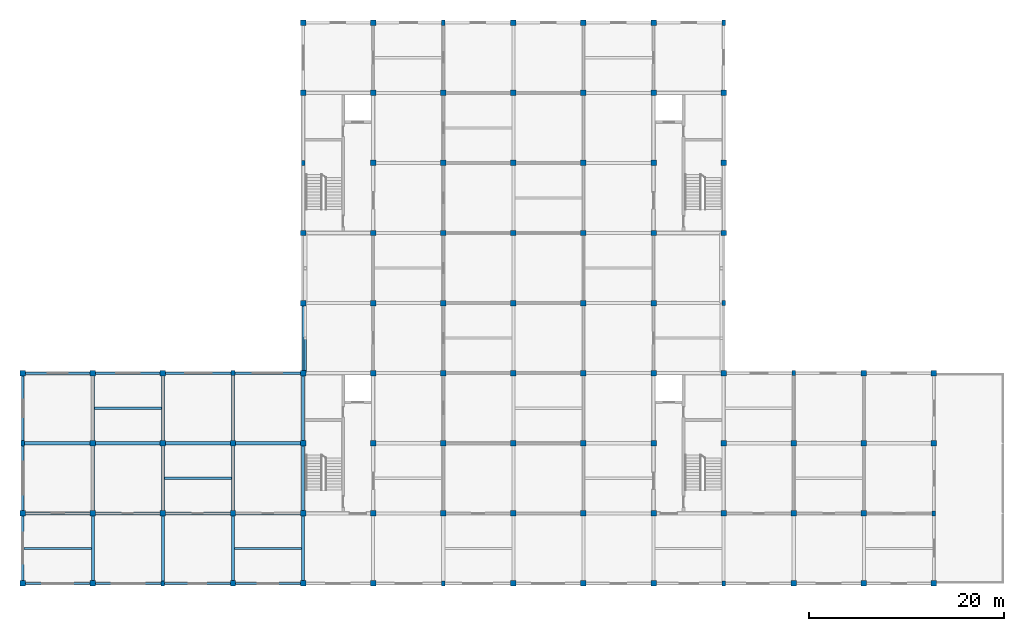
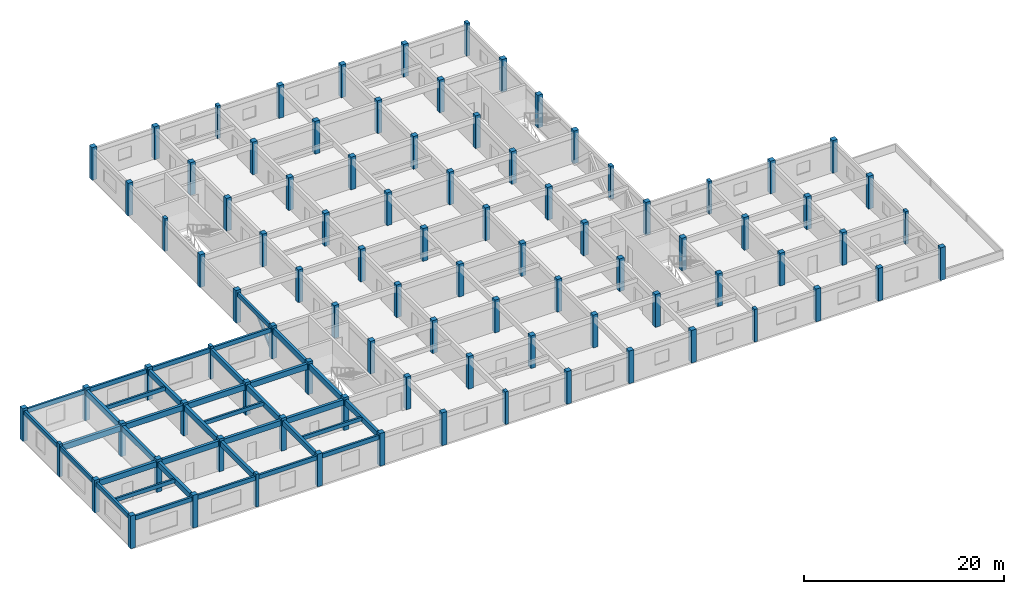
# One storey, part 1 of 10: 91 columns, 36 beams, 1 member.
"""IFC4 building model written with IfcOpenShell, lengths in metres."""

from ifc_helpers import new_model, si_unit, direction, frame, origin, origin_2d, place, context, subcontext, project, spatial, rectangle, extrude, material, material_profile, profile_set, type_object, element, save


model = new_model("IFC4")

# Units and contexts
model_context = context("Model", 3, precision=1e-05, world=origin(), true_north=direction((0.0, 1.0)))
body_context = subcontext(model_context, "Body", "Model", "MODEL_VIEW")
ifc_project = project(units=[si_unit("LENGTHUNIT", "METRE"), si_unit("AREAUNIT", "SQUARE_METRE"), si_unit("VOLUMEUNIT", "CUBIC_METRE"), si_unit("PLANEANGLEUNIT", "RADIAN"), si_unit("MASSUNIT", "GRAM", prefix="KILO")], contexts=[model_context])

# Site, building, storey
site_placement = place(None, origin())
site = spatial("IfcSite", under=ifc_project, at=site_placement, CompositionType="ELEMENT")
building_placement = place(site_placement, origin())
building = spatial("IfcBuilding", under=site, at=building_placement, Name="Cendaluz Park School", CompositionType="ELEMENT")
storey_placement = place(building_placement, frame((0.0, 0.0, 34.800048828125)))
storey = spatial("IfcBuildingStorey", under=building, at=storey_placement, Name="L08", CompositionType="ELEMENT", Elevation=34.800048828125)

# Columns
ifc_material_1 = material(Name="Glulam GL32h", Category="wood")
ifc_material_profile_1 = material_profile(ifc_material_1, rectangle(XDim=0.56005859375, YDim=0.56005859375, at=origin_2d()), Name="GL32h 560x560", Category="wood")
ifc_profile_set_1 = profile_set([ifc_material_profile_1], Name="Glulam GL32h")
column_type_1 = type_object("IfcColumnType", Name="C-GL01", PredefinedType="COLUMN", material=ifc_profile_set_1)
for number, where, z_axis, x_axis, name in (
    (1, (36.0, 7.199951171875, 0.0), (0.0, 0.0, 1.0), (1.0, 0.0, 0.0), "C-L08-CGL01-001"),
    (2, (36.0, 14.39990234375, 0.0), (0.0, 0.0, 1.0), (1.0, 0.0, 0.0), "C-L08-CGL01-002"),
    (3, (36.0, 28.800048828125, 0.0), (0.0, 0.0, 1.0), (1.0, 0.0, 0.0), "C-L08-CGL01-004"),
    (4, (43.199951171875, 7.199951171875, 0.0), (0.0, 0.0, 1.0), (1.0, 0.0, 0.0), "C-L08-CGL01-005"),
    (5, (43.199951171875, 14.39990234375, 0.0), (0.0, 0.0, 1.0), (1.0, 0.0, 0.0), "C-L08-CGL01-006"),
    (6, (43.199951171875, 21.60009765625, 0.0), (0.0, 0.0, 1.0), (1.0, 0.0, 0.0), "C-L08-CGL01-007"),
    (7, (43.199951171875, 28.800048828125, 0.0), (0.0, 0.0, 1.0), (1.0, 0.0, 0.0), "C-L08-CGL01-008"),
    (8, (50.39990234375, 14.39990234375, 0.0), (0.0, 0.0, 1.0), (1.0, 0.0, 0.0), "C-L08-CGL01-010"),
    (9, (50.39990234375, 21.60009765625, 0.0), (0.0, 0.0, 1.0), (1.0, 0.0, 0.0), "C-L08-CGL01-011"),
    (10, (50.39990234375, 28.800048828125, 0.0), (0.0, 0.0, 1.0), (1.0, 0.0, 0.0), "C-L08-CGL01-012"),
    (11, (57.60009765625, 7.199951171875, 0.0), (0.0, 0.0, 1.0), (1.0, 0.0, 0.0), "C-L08-CGL01-013"),
    (12, (57.60009765625, 14.39990234375, 0.0), (0.0, 0.0, 1.0), (1.0, 0.0, 0.0), "C-L08-CGL01-014"),
    (13, (57.60009765625, 21.60009765625, 0.0), (0.0, 0.0, 1.0), (1.0, 0.0, 0.0), "C-L08-CGL01-015"),
    (14, (64.800048828125, 7.199951171875, 0.0), (0.0, 0.0, 1.0), (1.0, 0.0, 0.0), "C-L08-CGL01-017"),
    (15, (64.800048828125, 14.39990234375, 0.0), (0.0, 0.0, 1.0), (1.0, 0.0, 0.0), "C-L08-CGL01-018"),
    (16, (64.800048828125, 21.60009765625, 0.0), (0.0, 0.0, 1.0), (1.0, 0.0, 0.0), "C-L08-CGL01-019"),
    (17, (64.800048828125, 28.800048828125, 0.0), (0.0, 0.0, 1.0), (1.0, 0.0, 0.0), "C-L08-CGL01-020"),
    (18, (64.800048828125, 36.0, 0.0), (0.0, 0.0, 1.0), (1.0, 0.0, 0.0), "C-L08-CGL01-021"),
    (19, (64.800048828125, 43.199951171875, 0.0), (0.0, 0.0, 1.0), (1.0, 0.0, 0.0), "C-L08-CGL01-022"),
    (20, (64.800048828125, 57.60009765625, 0.0), (0.0, 0.0, 1.0), (1.0, 0.0, 0.0), "C-L08-CGL01-024"),
    (21, (64.800048828125, 64.800048828125, 0.0), (0.0, 0.0, 1.0), (1.0, 0.0, 0.0), "C-L08-CGL01-025"),
    (22, (72.0, 7.199951171875, 0.0), (0.0, 0.0, 1.0), (1.0, 0.0, 0.0), "C-L08-CGL01-026"),
    (23, (72.0, 14.39990234375, 0.0), (0.0, 0.0, 1.0), (1.0, 0.0, 0.0), "C-L08-CGL01-027"),
    (24, (72.0, 21.60009765625, 0.0), (0.0, 0.0, 1.0), (1.0, 0.0, 0.0), "C-L08-CGL01-028"),
    (25, (72.0, 28.800048828125, 0.0), (0.0, 0.0, 1.0), (1.0, 0.0, 0.0), "C-L08-CGL01-029"),
    (26, (72.0, 36.0, 0.0), (0.0, 0.0, 1.0), (1.0, 0.0, 0.0), "C-L08-CGL01-030"),
    (27, (72.0, 43.199951171875, 0.0), (0.0, 0.0, 1.0), (1.0, 0.0, 0.0), "C-L08-CGL01-031"),
    (28, (72.0, 50.39990234375, 0.0), (0.0, 0.0, 1.0), (1.0, 0.0, 0.0), "C-L08-CGL01-032"),
    (29, (72.0, 57.60009765625, 0.0), (0.0, 0.0, 1.0), (1.0, 0.0, 0.0), "C-L08-CGL01-033"),
    (30, (72.0, 64.800048828125, 0.0), (0.0, 0.0, 1.0), (1.0, 0.0, 0.0), "C-L08-CGL01-034"),
    (31, (79.199951171875, 14.39990234375, 0.0), (0.0, 0.0, 1.0), (1.0, 0.0, 0.0), "C-L08-CGL01-036"),
    (32, (79.199951171875, 21.60009765625, 0.0), (0.0, 0.0, 1.0), (1.0, 0.0, 0.0), "C-L08-CGL01-037"),
    (33, (79.199951171875, 28.800048828125, 0.0), (0.0, 0.0, 1.0), (1.0, 0.0, 0.0), "C-L08-CGL01-038"),
    (34, (79.199951171875, 36.0, 0.0), (0.0, 0.0, 1.0), (1.0, 0.0, 0.0), "C-L08-CGL01-039"),
    (35, (79.199951171875, 43.199951171875, 0.0), (0.0, 0.0, 1.0), (1.0, 0.0, 0.0), "C-L08-CGL01-040"),
    (36, (79.199951171875, 50.39990234375, 0.0), (0.0, 0.0, 1.0), (1.0, 0.0, 0.0), "C-L08-CGL01-041"),
    (37, (79.199951171875, 57.60009765625, 0.0), (0.0, 0.0, 1.0), (1.0, 0.0, 0.0), "C-L08-CGL01-042"),
    (38, (86.39990234375, 7.199951171875, 0.0), (0.0, 0.0, 1.0), (1.0, 0.0, 0.0), "C-L08-CGL01-044"),
    (39, (86.39990234375, 14.39990234375, 0.0), (0.0, 0.0, 1.0), (1.0, 0.0, 0.0), "C-L08-CGL01-045"),
    (40, (86.39990234375, 21.60009765625, 0.0), (0.0, 0.0, 1.0), (1.0, 0.0, 0.0), "C-L08-CGL01-046"),
    (41, (86.39990234375, 28.800048828125, 0.0), (0.0, 0.0, 1.0), (1.0, 0.0, 0.0), "C-L08-CGL01-047"),
    (42, (86.39990234375, 36.0, 0.0), (0.0, 0.0, 1.0), (1.0, 0.0, 0.0), "C-L08-CGL01-048"),
    (43, (86.39990234375, 43.199951171875, 0.0), (0.0, 0.0, 1.0), (1.0, 0.0, 0.0), "C-L08-CGL01-049"),
    (44, (86.39990234375, 50.39990234375, 0.0), (0.0, 0.0, 1.0), (1.0, 0.0, 0.0), "C-L08-CGL01-050"),
    (45, (86.39990234375, 57.60009765625, 0.0), (0.0, 0.0, 1.0), (1.0, 0.0, 0.0), "C-L08-CGL01-051"),
    (46, (86.39990234375, 64.800048828125, 0.0), (0.0, 0.0, 1.0), (1.0, 0.0, 0.0), "C-L08-CGL01-052"),
    (47, (93.60009765625, 7.199951171875, 0.0), (0.0, 0.0, 1.0), (1.0, 0.0, 0.0), "C-L08-CGL01-053"),
    (48, (93.60009765625, 14.39990234375, 0.0), (0.0, 0.0, 1.0), (1.0, 0.0, 0.0), "C-L08-CGL01-054"),
    (49, (93.60009765625, 21.60009765625, 0.0), (0.0, 0.0, 1.0), (1.0, 0.0, 0.0), "C-L08-CGL01-055"),
    (50, (93.60009765625, 28.800048828125, 0.0), (0.0, 0.0, 1.0), (1.0, 0.0, 0.0), "C-L08-CGL01-056"),
    (51, (93.60009765625, 36.0, 0.0), (0.0, 0.0, 1.0), (1.0, 0.0, 0.0), "C-L08-CGL01-057"),
    (52, (93.60009765625, 43.199951171875, 0.0), (0.0, 0.0, 1.0), (1.0, 0.0, 0.0), "C-L08-CGL01-058"),
    (53, (93.60009765625, 50.39990234375, 0.0), (0.0, 0.0, 1.0), (1.0, 0.0, 0.0), "C-L08-CGL01-059"),
    (54, (93.60009765625, 57.60009765625, 0.0), (0.0, 0.0, 1.0), (1.0, 0.0, 0.0), "C-L08-CGL01-060"),
    (55, (93.60009765625, 64.800048828125, 0.0), (0.0, 0.0, 1.0), (1.0, 0.0, 0.0), "C-L08-CGL01-061"),
    (56, (100.800048828125, 7.199951171875, 0.0), (0.0, 0.0, 1.0), (1.0, 0.0, 0.0), "C-L08-CGL01-062"),
    (57, (100.800048828125, 14.39990234375, 0.0), (0.0, 0.0, 1.0), (1.0, 0.0, 0.0), "C-L08-CGL01-063"),
    (58, (100.800048828125, 21.60009765625, 0.0), (0.0, 0.0, 1.0), (1.0, 0.0, 0.0), "C-L08-CGL01-064"),
    (59, (100.800048828125, 28.800048828125, 0.0), (0.0, 0.0, 1.0), (1.0, 0.0, 0.0), "C-L08-CGL01-065"),
    (60, (100.800048828125, 36.0, 0.0), (0.0, 0.0, 1.0), (1.0, 0.0, 0.0), "C-L08-CGL01-066"),
    (61, (100.800048828125, 43.199951171875, 0.0), (0.0, 0.0, 1.0), (1.0, 0.0, 0.0), "C-L08-CGL01-067"),
    (62, (100.800048828125, 50.39990234375, 0.0), (0.0, 0.0, 1.0), (1.0, 0.0, 0.0), "C-L08-CGL01-068"),
    (63, (100.800048828125, 57.60009765625, 0.0), (0.0, 0.0, 1.0), (1.0, 0.0, 0.0), "C-L08-CGL01-069"),
    (64, (100.800048828125, 64.800048828125, 0.0), (0.0, 0.0, 1.0), (1.0, 0.0, 0.0), "C-L08-CGL01-070"),
    (65, (108.0, 14.39990234375, 0.0), (0.0, 0.0, 1.0), (1.0, 0.0, 0.0), "C-L08-CGL01-072"),
    (66, (108.0, 21.60009765625, 0.0), (0.0, 0.0, 1.0), (1.0, 0.0, 0.0), "C-L08-CGL01-073"),
    (67, (108.0, 28.800048828125, 0.0), (0.0, 0.0, 1.0), (1.0, 0.0, 0.0), "C-L08-CGL01-074"),
    (68, (108.0, 43.199951171875, 0.0), (0.0, 0.0, 1.0), (1.0, 0.0, 0.0), "C-L08-CGL01-076"),
    (69, (108.0, 50.39990234375, 0.0), (0.0, 0.0, 1.0), (1.0, 0.0, 0.0), "C-L08-CGL01-077"),
    (70, (108.0, 57.60009765625, 0.0), (0.0, 0.0, 1.0), (1.0, 0.0, 0.0), "C-L08-CGL01-078"),
    (71, (115.199951171875, 7.199951171875, 0.0), (0.0, 0.0, 1.0), (1.0, 0.0, 0.0), "C-L08-CGL01-080"),
    (72, (115.199951171875, 14.39990234375, 0.0), (0.0, 0.0, 1.0), (1.0, 0.0, 0.0), "C-L08-CGL01-081"),
    (73, (115.199951171875, 21.60009765625, 0.0), (0.0, 0.0, 1.0), (1.0, 0.0, 0.0), "C-L08-CGL01-082"),
    (74, (122.39990234375, 7.199951171875, 0.0), (0.0, 0.0, 1.0), (1.0, 0.0, 0.0), "C-L08-CGL01-084"),
    (75, (122.39990234375, 14.39990234375, 0.0), (0.0, 0.0, 1.0), (1.0, 0.0, 0.0), "C-L08-CGL01-085"),
    (76, (122.39990234375, 21.60009765625, 0.0), (0.0, 0.0, 1.0), (1.0, 0.0, 0.0), "C-L08-CGL01-086"),
    (77, (122.39990234375, 28.800048828125, 0.0), (0.0, 0.0, 1.0), (1.0, 0.0, 0.0), "C-L08-CGL01-087"),
    (78, (129.60009765625, 7.199951171875, 0.0), (0.0, 0.0, 1.0), (1.0, 0.0, 0.0), "C-L08-CGL01-088"),
    (79, (129.60009765625, 21.60009765625, 0.0), (0.0, 0.0, 1.0), (1.0, 0.0, 0.0), "C-L08-CGL01-090"),
    (80, (129.60009765625, 28.800048828125, 0.0), (0.0, 0.0, 1.0), (1.0, 0.0, 0.0), "C-L08-CGL01-091"),
):
    element("IfcColumn", number, at=place(storey_placement, frame(where, z_axis=z_axis, x_axis=x_axis)), inside=storey, type_object=column_type_1, Name=name, PredefinedType="COLUMN", context=body_context, shape_type="SweptSolid", body=[
        extrude(rectangle(XDim=0.56005859375, YDim=0.56005859375, at=origin_2d()), origin(), (0.0, 0.0, 1.0), 4.0),
    ])
ifc_material_profile_2 = material_profile(ifc_material_1, rectangle(XDim=0.360107421875, YDim=0.52001953125, at=origin_2d()), Name="GL32h 360x520", Category="wood")
ifc_profile_set_2 = profile_set([ifc_material_profile_2], Name="Glulam GL32h")
column_type_2 = type_object("IfcColumnType", Name="C-PL02", PredefinedType="PILASTER", material=ifc_profile_set_2)
for number, where, z_axis, x_axis, name in (
    (81, (36.0, 21.60009765625, 0.0), (0.0, 0.0, 1.0), (1.0, 0.0, 0.0), "C-L08-CPL02-003"),
    (82, (50.39990234375, 7.199951171875, 0.0), (0.0, 0.0, 1.0), (1.0, 0.0, 0.0), "C-L08-CPL02-009"),
    (83, (57.60009765625, 28.800048828125, 0.0), (0.0, 0.0, 1.0), (1.0, 0.0, 0.0), "C-L08-CPL02-016"),
    (84, (64.800048828125, 50.39990234375, 0.0), (0.0, 0.0, 1.0), (1.0, 0.0, 0.0), "C-L08-CPL02-023"),
    (85, (79.199951171875, 7.199951171875, 0.0), (0.0, 0.0, 1.0), (1.0, 0.0, 0.0), "C-L08-CPL02-035"),
    (86, (79.199951171875, 64.800048828125, 0.0), (0.0, 0.0, 1.0), (1.0, 0.0, 0.0), "C-L08-CPL02-043"),
    (87, (108.0, 7.199951171875, 0.0), (0.0, 0.0, 1.0), (1.0, 0.0, 0.0), "C-L08-CPL02-071"),
    (88, (108.0, 36.0, 0.0), (0.0, 0.0, 1.0), (1.0, 0.0, 0.0), "C-L08-CPL02-075"),
    (89, (108.0, 64.800048828125, 0.0), (0.0, 0.0, 1.0), (1.0, 0.0, 0.0), "C-L08-CPL02-079"),
    (90, (115.199951171875, 28.800048828125, 0.0), (0.0, 0.0, 1.0), (1.0, 0.0, 0.0), "C-L08-CPL02-083"),
    (91, (129.60009765625, 14.39990234375, 0.0), (0.0, 0.0, 1.0), (1.0, 0.0, 0.0), "C-L08-CPL02-089"),
):
    element("IfcColumn", number, at=place(storey_placement, frame(where, z_axis=z_axis, x_axis=x_axis)), inside=storey, type_object=column_type_2, Name=name, PredefinedType="PILASTER", context=body_context, shape_type="SweptSolid", body=[
        extrude(rectangle(XDim=0.360107421875, YDim=0.52001953125, at=origin_2d()), origin(), (0.0, 0.0, 1.0), 4.0),
    ])

# Beams
ifc_material_2 = material(Name="Glulam GL28h", Category="wood")
ifc_material_profile_3 = material_profile(ifc_material_2, rectangle(XDim=0.320068359375, YDim=0.679931640625, at=origin_2d()), Name="GL28h 320x680", Category="wood")
ifc_profile_set_3 = profile_set([ifc_material_profile_3], Name="Glulam GL28h")
beam_type_1 = type_object("IfcBeamType", Name="BM-GL01", PredefinedType="BEAM", material=ifc_profile_set_3)
beam_1_placement = place(storey_placement, frame((36.280029296875, 14.39990234375, 3.369873046875), z_axis=(1.0, 0.0, 0.0), x_axis=(0.0, 1.0, 0.0)))
element("IfcBeam", 92, at=beam_1_placement, inside=storey, type_object=beam_type_1, Name="BM-L08-BMGL01-0002", PredefinedType="BEAM", context=body_context, shape_type="SweptSolid", body=[
    extrude(rectangle(XDim=0.320068359375, YDim=0.679931640625, at=origin_2d()), origin(), (0.0, 0.0, 1.0), 6.639892578125),
])
beam_2_placement = place(storey_placement, frame((36.179931640625, 21.60009765625, 3.369873046875), z_axis=(1.0, 0.0, 0.0), x_axis=(0.0, 1.0, 0.0)))
element("IfcBeam", 93, at=beam_2_placement, inside=storey, type_object=beam_type_1, Name="BM-L08-BMGL01-0003", PredefinedType="BEAM", context=body_context, shape_type="SweptSolid", body=[
    extrude(rectangle(XDim=0.320068359375, YDim=0.679931640625, at=origin_2d()), origin(), (0.0, 0.0, 1.0), 6.739990234375),
])
for number, where, z_axis, x_axis, name in (
    (94, (43.47998046875, 14.39990234375, 3.369873046875), (1.0, 0.0, 0.0), (0.0, 1.0, 0.0), "BM-L08-BMGL01-0006"),
    (95, (43.47998046875, 21.60009765625, 3.369873046875), (1.0, 0.0, 0.0), (0.0, 1.0, 0.0), "BM-L08-BMGL01-0007"),
    (96, (50.679931640625, 14.39990234375, 3.369873046875), (1.0, 0.0, 0.0), (0.0, 1.0, 0.0), "BM-L08-BMGL01-0010"),
    (97, (50.679931640625, 21.60009765625, 3.369873046875), (1.0, 0.0, 0.0), (0.0, 1.0, 0.0), "BM-L08-BMGL01-0011"),
    (98, (57.8798828125, 14.39990234375, 3.369873046875), (1.0, 0.0, 0.0), (0.0, 1.0, 0.0), "BM-L08-BMGL01-0014"),
    (99, (57.8798828125, 21.60009765625, 3.369873046875), (1.0, 0.0, 0.0), (0.0, 1.0, 0.0), "BM-L08-BMGL01-0015"),
    (100, (43.199951171875, 7.47998046875, 3.369873046875), (0.0, 1.0, 0.0), (-1.0, 0.0, 0.0), "BM-L08-BMGL01-0082"),
    (101, (43.199951171875, 14.679931640625, 3.369873046875), (0.0, 1.0, 0.0), (-1.0, 0.0, 0.0), "BM-L08-BMGL01-0083"),
    (102, (43.199951171875, 21.8798828125, 3.369873046875), (0.0, 1.0, 0.0), (-1.0, 0.0, 0.0), "BM-L08-BMGL01-0084"),
):
    element("IfcBeam", number, at=place(storey_placement, frame(where, z_axis=z_axis, x_axis=x_axis)), inside=storey, type_object=beam_type_1, Name=name, PredefinedType="BEAM", context=body_context, shape_type="SweptSolid", body=[
        extrude(rectangle(XDim=0.320068359375, YDim=0.679931640625, at=origin_2d()), origin(), (0.0, 0.0, 1.0), 6.64013671875),
    ])
beam_3_placement = place(storey_placement, frame((50.39990234375, 7.4599609375, 3.369873046875), z_axis=(0.0, 1.0, 0.0), x_axis=(-1.0, 0.0, 0.0)))
element("IfcBeam", 103, at=beam_3_placement, inside=storey, type_object=beam_type_1, Name="BM-L08-BMGL01-0085", PredefinedType="BEAM", context=body_context, shape_type="SweptSolid", body=[
    extrude(rectangle(XDim=0.320068359375, YDim=0.679931640625, at=origin_2d()), origin(), (0.0, 0.0, 1.0), 6.66015625),
])
for number, where, z_axis, x_axis, name in (
    (104, (50.39990234375, 14.679931640625, 3.369873046875), (0.0, 1.0, 0.0), (-1.0, 0.0, 0.0), "BM-L08-BMGL01-0086"),
    (105, (50.39990234375, 21.8798828125, 3.369873046875), (0.0, 1.0, 0.0), (-1.0, 0.0, 0.0), "BM-L08-BMGL01-0087"),
    (106, (57.60009765625, 7.47998046875, 3.369873046875), (0.0, 1.0, 0.0), (-1.0, 0.0, 0.0), "BM-L08-BMGL01-0088"),
    (107, (57.60009765625, 14.679931640625, 3.369873046875), (0.0, 1.0, 0.0), (-1.0, 0.0, 0.0), "BM-L08-BMGL01-0089"),
):
    element("IfcBeam", number, at=place(storey_placement, frame(where, z_axis=z_axis, x_axis=x_axis)), inside=storey, type_object=beam_type_1, Name=name, PredefinedType="BEAM", context=body_context, shape_type="SweptSolid", body=[
        extrude(rectangle(XDim=0.320068359375, YDim=0.679931640625, at=origin_2d()), origin(), (0.0, 0.0, 1.0), 6.64013671875),
    ])
beam_4_placement = place(storey_placement, frame((57.60009765625, 21.8798828125, 3.369873046875), z_axis=(0.0, 1.0, 0.0), x_axis=(-1.0, 0.0, 0.0)))
element("IfcBeam", 108, at=beam_4_placement, inside=storey, type_object=beam_type_1, Name="BM-L08-BMGL01-0090", PredefinedType="BEAM", context=body_context, shape_type="SweptSolid", body=[
    extrude(rectangle(XDim=0.320068359375, YDim=0.679931640625, at=origin_2d()), origin(), (0.0, 0.0, 1.0), 6.66015625),
])
for number, where, z_axis, x_axis, name in (
    (109, (64.800048828125, 7.47998046875, 3.369873046875), (0.0, 1.0, 0.0), (-1.0, 0.0, 0.0), "BM-L08-BMGL01-0091"),
    (110, (64.800048828125, 14.679931640625, 3.369873046875), (0.0, 1.0, 0.0), (-1.0, 0.0, 0.0), "BM-L08-BMGL01-0092"),
    (111, (64.800048828125, 21.8798828125, 3.369873046875), (0.0, 1.0, 0.0), (-1.0, 0.0, 0.0), "BM-L08-BMGL01-0093"),
):
    element("IfcBeam", number, at=place(storey_placement, frame(where, z_axis=z_axis, x_axis=x_axis)), inside=storey, type_object=beam_type_1, Name=name, PredefinedType="BEAM", context=body_context, shape_type="SweptSolid", body=[
        extrude(rectangle(XDim=0.320068359375, YDim=0.679931640625, at=origin_2d()), origin(), (0.0, 0.0, 1.0), 6.64013671875),
    ])
ifc_material_profile_4 = material_profile(ifc_material_2, rectangle(XDim=0.239990234375, YDim=0.52001953125, at=origin_2d()), Name="GL28h 240x520", Category="wood")
ifc_profile_set_4 = profile_set([ifc_material_profile_4], Name="Glulam GL28h")
beam_type_2 = type_object("IfcBeamType", Name="BM-GL03", PredefinedType="SPANDREL", material=ifc_profile_set_4)
for number, where, z_axis, x_axis, name in (
    (112, (36.280029296875, 7.199951171875, 3.449951171875), (1.0, 0.0, 0.0), (0.0, 1.0, 0.0), "BM-L08-BMGL03-0001"),
    (113, (36.280029296875, 28.800048828125, 3.449951171875), (1.0, 0.0, 0.0), (0.0, 1.0, 0.0), "BM-L08-BMGL03-0004"),
):
    element("IfcBeam", number, at=place(storey_placement, frame(where, z_axis=z_axis, x_axis=x_axis)), inside=storey, type_object=beam_type_2, Name=name, PredefinedType="SPANDREL", context=body_context, shape_type="SweptSolid", body=[
        extrude(rectangle(XDim=0.239990234375, YDim=0.52001953125, at=origin_2d()), origin(), (0.0, 0.0, 1.0), 6.639892578125),
    ])
beam_5_placement = place(storey_placement, frame((43.47998046875, 7.199951171875, 3.449951171875), z_axis=(1.0, 0.0, 0.0), x_axis=(0.0, 1.0, 0.0)))
element("IfcBeam", 114, at=beam_5_placement, inside=storey, type_object=beam_type_2, Name="BM-L08-BMGL03-0005", PredefinedType="SPANDREL", context=body_context, shape_type="SweptSolid", body=[
    extrude(rectangle(XDim=0.239990234375, YDim=0.52001953125, at=origin_2d()), origin(), (0.0, 0.0, 1.0), 6.739990234375),
])
beam_6_placement = place(storey_placement, frame((43.47998046875, 28.800048828125, 3.449951171875), z_axis=(1.0, 0.0, 0.0), x_axis=(0.0, 1.0, 0.0)))
element("IfcBeam", 115, at=beam_6_placement, inside=storey, type_object=beam_type_2, Name="BM-L08-BMGL03-0008", PredefinedType="SPANDREL", context=body_context, shape_type="SweptSolid", body=[
    extrude(rectangle(XDim=0.239990234375, YDim=0.52001953125, at=origin_2d()), origin(), (0.0, 0.0, 1.0), 6.64013671875),
])
for number, where, z_axis, x_axis, name in (
    (116, (50.580078125, 7.199951171875, 3.449951171875), (1.0, 0.0, 0.0), (0.0, 1.0, 0.0), "BM-L08-BMGL03-0009"),
    (117, (50.679931640625, 28.800048828125, 3.449951171875), (1.0, 0.0, 0.0), (0.0, 1.0, 0.0), "BM-L08-BMGL03-0012"),
):
    element("IfcBeam", number, at=place(storey_placement, frame(where, z_axis=z_axis, x_axis=x_axis)), inside=storey, type_object=beam_type_2, Name=name, PredefinedType="SPANDREL", context=body_context, shape_type="SweptSolid", body=[
        extrude(rectangle(XDim=0.239990234375, YDim=0.52001953125, at=origin_2d()), origin(), (0.0, 0.0, 1.0), 6.739990234375),
    ])
beam_7_placement = place(storey_placement, frame((57.8798828125, 7.199951171875, 3.449951171875), z_axis=(1.0, 0.0, 0.0), x_axis=(0.0, 1.0, 0.0)))
element("IfcBeam", 118, at=beam_7_placement, inside=storey, type_object=beam_type_2, Name="BM-L08-BMGL03-0013", PredefinedType="SPANDREL", context=body_context, shape_type="SweptSolid", body=[
    extrude(rectangle(XDim=0.239990234375, YDim=0.52001953125, at=origin_2d()), origin(), (0.0, 0.0, 1.0), 6.64013671875),
])
beam_8_placement = place(storey_placement, frame((57.780029296875, 28.800048828125, 3.449951171875), z_axis=(1.0, 0.0, 0.0), x_axis=(0.0, 1.0, 0.0)))
element("IfcBeam", 119, at=beam_8_placement, inside=storey, type_object=beam_type_2, Name="BM-L08-BMGL03-0016", PredefinedType="SPANDREL", context=body_context, shape_type="SweptSolid", body=[
    extrude(rectangle(XDim=0.239990234375, YDim=0.52001953125, at=origin_2d()), origin(), (0.0, 0.0, 1.0), 6.739990234375),
])
beam_9_placement = place(storey_placement, frame((36.0, 7.47998046875, 3.449951171875), z_axis=(0.0, 1.0, 0.0), x_axis=(-1.0, 0.0, 0.0)))
element("IfcBeam", 120, at=beam_9_placement, inside=storey, type_object=beam_type_2, Name="BM-L08-BMGL03-0079", PredefinedType="SPANDREL", context=body_context, shape_type="SweptSolid", body=[
    extrude(rectangle(XDim=0.239990234375, YDim=0.52001953125, at=origin_2d()), origin(), (0.0, 0.0, 1.0), 6.64013671875),
])
beam_10_placement = place(storey_placement, frame((36.0, 14.679931640625, 3.449951171875), z_axis=(0.0, 1.0, 0.0), x_axis=(-1.0, 0.0, 0.0)))
element("IfcBeam", 121, at=beam_10_placement, inside=storey, type_object=beam_type_2, Name="BM-L08-BMGL03-0080", PredefinedType="SPANDREL", context=body_context, shape_type="SweptSolid", body=[
    extrude(rectangle(XDim=0.239990234375, YDim=0.52001953125, at=origin_2d()), origin(), (0.0, 0.0, 1.0), 6.66015625),
])
beam_11_placement = place(storey_placement, frame((36.0, 21.860107421875, 3.449951171875), z_axis=(0.0, 1.0, 0.0), x_axis=(-1.0, 0.0, 0.0)))
element("IfcBeam", 122, at=beam_11_placement, inside=storey, type_object=beam_type_2, Name="BM-L08-BMGL03-0081", PredefinedType="SPANDREL", context=body_context, shape_type="SweptSolid", body=[
    extrude(rectangle(XDim=0.239990234375, YDim=0.52001953125, at=origin_2d()), origin(), (0.0, 0.0, 1.0), 6.659912109375),
])
beam_12_placement = place(storey_placement, frame((64.800048828125, 29.080078125, 3.449951171875), z_axis=(0.0, 1.0, 0.0), x_axis=(-1.0, 0.0, 0.0)))
element("IfcBeam", 123, at=beam_12_placement, inside=storey, type_object=beam_type_2, Name="BM-L08-BMGL03-0094", PredefinedType="SPANDREL", context=body_context, shape_type="SweptSolid", body=[
    extrude(rectangle(XDim=0.239990234375, YDim=0.52001953125, at=origin_2d()), origin(), (0.0, 0.0, 1.0), 6.639892578125),
])
ifc_material_profile_5 = material_profile(ifc_material_2, rectangle(XDim=0.219970703125, YDim=0.4599609375, at=origin_2d()), Name="GL28h 220x460", Category="wood")
ifc_profile_set_5 = profile_set([ifc_material_profile_5], Name="Glulam GL28h")
beam_type_3 = type_object("IfcBeamType", Name="JT-GL01", PredefinedType="JOIST", material=ifc_profile_set_5)
beam_13_placement = place(storey_placement, frame((36.1201171875, 10.800048828125, 3.47998046875), z_axis=(1.0, 0.0, 0.0), x_axis=(0.0, 1.0, 0.0)))
element("IfcBeam", 124, at=beam_13_placement, inside=storey, type_object=beam_type_3, Name="BM-L08-JTGL01-0156", PredefinedType="JOIST", context=body_context, shape_type="SweptSolid", body=[
    extrude(rectangle(XDim=0.219970703125, YDim=0.4599609375, at=origin_2d()), origin(), (0.0, 0.0, 1.0), 6.919921875),
])
for number, where, z_axis, x_axis, name in (
    (125, (43.360107421875, 25.199951171875, 3.47998046875), (1.0, 0.0, 0.0), (0.0, 1.0, 0.0), "BM-L08-JTGL01-0157"),
    (126, (50.56005859375, 18.0, 3.47998046875), (1.0, 0.0, 0.0), (0.0, 1.0, 0.0), "BM-L08-JTGL01-0158"),
    (127, (57.760009765625, 10.800048828125, 3.47998046875), (1.0, 0.0, 0.0), (0.0, 1.0, 0.0), "BM-L08-JTGL01-0159"),
):
    element("IfcBeam", number, at=place(storey_placement, frame(where, z_axis=z_axis, x_axis=x_axis)), inside=storey, type_object=beam_type_3, Name=name, PredefinedType="JOIST", context=body_context, shape_type="SweptSolid", body=[
        extrude(rectangle(XDim=0.219970703125, YDim=0.4599609375, at=origin_2d()), origin(), (0.0, 0.0, 1.0), 6.8798828125),
    ])

# Member
ifc_material_profile_6 = material_profile(ifc_material_1, rectangle(XDim=0.300048828125, YDim=0.300048828125, at=origin_2d()), Name="GL32h 300x300", Category="wood")
ifc_profile_set_6 = profile_set([ifc_material_profile_6], Name="Glulam GL32h")
member_type = type_object("IfcMemberType", Name="MBR-03", PredefinedType="BRACE", material=ifc_profile_set_6)
member_placement = place(storey_placement, frame((65.02001953125, 28.97998046875, 0.0), z_axis=(0.0, 0.729134518911, 0.684370406528), x_axis=(-1.0, 0.0, 0.0)))
element("IfcMember", 128, at=member_placement, inside=storey, type_object=member_type, Name="MB-L08-MBBR03-0001", PredefinedType="BRACE", context=body_context, shape_type="SweptSolid", body=[
    extrude(rectangle(XDim=0.300048828125, YDim=0.300048828125, at=origin_2d()), origin(), (0.0, 0.0, 1.0), 4.6904296875),
])

save(model, "model.ifc")
